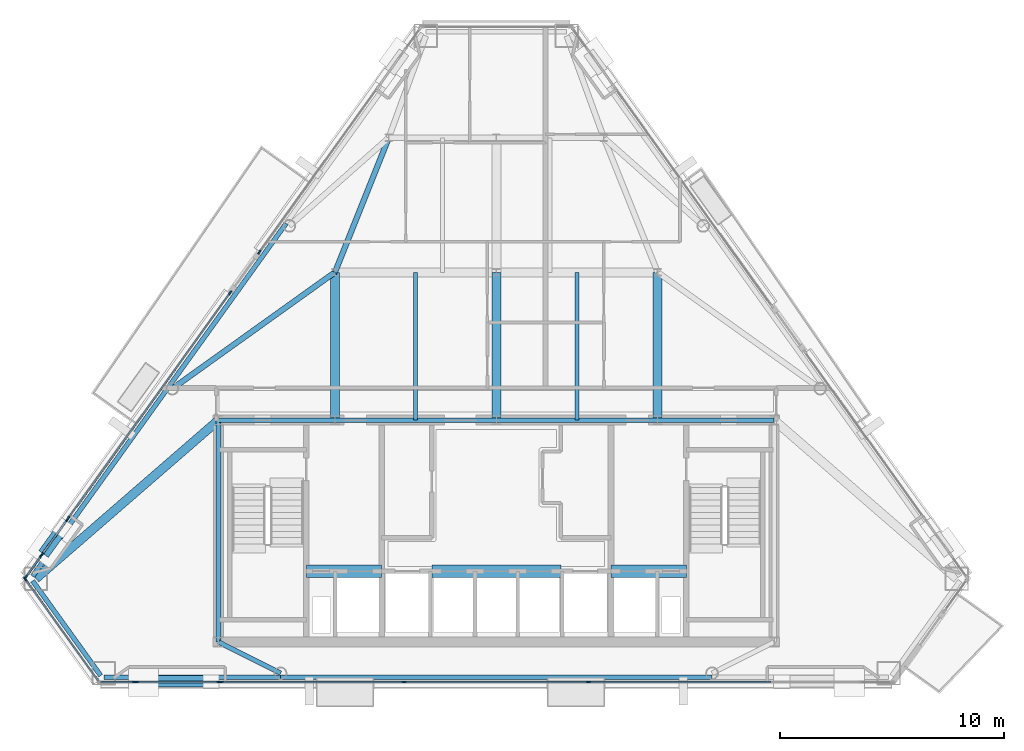
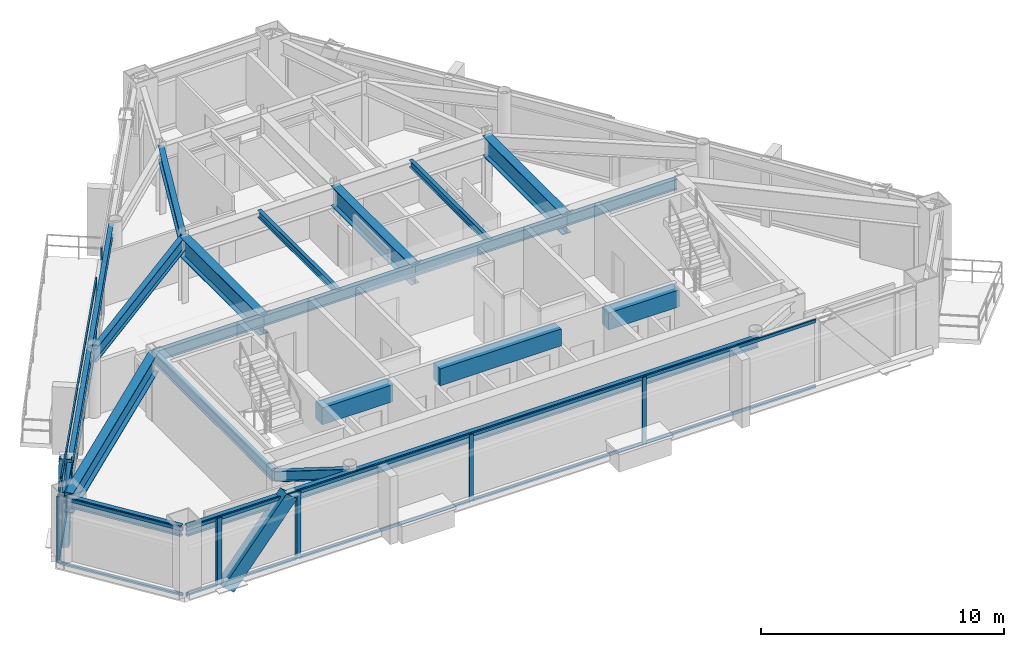
# One storey, part 3 of 11: 34 members, 22 beams, 8 elements without a shape of their own.
"""IFC4 building model written with IfcOpenShell, lengths in metres."""

from ifc_helpers import new_model, si_unit, direction, frame, origin, origin_2d, place, context, subcontext, project, spatial, rectangle, hollow_rectangle, i_section, extrude, material, layer, layer_set, material_profile, profile_set, type_object, element, aggregate, save


model = new_model("IFC4")

# Units and contexts
model_context = context("Model", 3, precision=1e-05, world=origin(), true_north=direction((0.0, 1.0)))
body_context = subcontext(model_context, "Body", "Model", "MODEL_VIEW")
ifc_project = project(units=[si_unit("LENGTHUNIT", "METRE"), si_unit("AREAUNIT", "SQUARE_METRE"), si_unit("VOLUMEUNIT", "CUBIC_METRE"), si_unit("PLANEANGLEUNIT", "RADIAN"), si_unit("MASSUNIT", "GRAM", prefix="KILO")], contexts=[model_context])

# Site, building, storey
site_placement = place(None, origin())
site = spatial("IfcSite", under=ifc_project, at=site_placement, CompositionType="ELEMENT")
building_placement = place(site_placement, origin())
building = spatial("IfcBuilding", under=site, at=building_placement, Name="Talgorran Terracotta Tower", CompositionType="ELEMENT")
storey_placement = place(building_placement, frame((0.0, 0.0, 207.300048828125)))
storey = spatial("IfcBuildingStorey", under=building, at=storey_placement, Name="L54", CompositionType="ELEMENT", Elevation=207.300048828125)

# Beams
ifc_material_1 = material(Name="Steel Grade 350 (350L0)", Category="steel")
ifc_material_profile_1 = material_profile(ifc_material_1, i_section(OverallWidth=0.39990234375, OverallDepth=1.0, WebThickness=0.01611328125, FlangeThickness=0.031005859375, at=origin_2d()), Name="1000WB296")
ifc_profile_set_1 = profile_set([ifc_material_profile_1], Name="Steel Grade 350 (350L0)")
beam_type_1 = type_object("IfcBeamType", Name="BM_1000WB296", PredefinedType="BEAM", material=ifc_profile_set_1)
for number, where, z_axis, x_axis, name in (
    (1, (-7.199951171875, -4.199951171875, 2.844970703125), (0.0, 1.0, 0.0), (-1.0, 0.0, 0.0), "L54 Floor Girder G01"),
    (2, (0.0, -4.199951171875, 2.844970703125), (0.0, 1.0, 0.0), (-1.0, 0.0, 0.0), "L54 Floor Girder G02"),
    (3, (7.199951171875, -4.199951171875, 2.844970703125), (0.0, 1.0, 0.0), (-1.0, 0.0, 0.0), "L54 Floor Girder G03"),
):
    element("IfcBeam", number, at=place(storey_placement, frame(where, z_axis=z_axis, x_axis=x_axis)), inside=storey, type_object=beam_type_1, Name=name, PredefinedType="BEAM", context=body_context, shape_type="SweptSolid", body=[
        extrude(i_section(OverallWidth=0.39990234375, OverallDepth=1.0, WebThickness=0.01611328125, FlangeThickness=0.031005859375, at=origin_2d()), origin(), (0.0, 0.0, 1.0), 6.599853515625),
    ])
beam_1_placement = place(storey_placement, frame((-12.39990234375, -4.199951171875, 2.844970703125), z_axis=(-0.755340259283, -0.655332810644, 0.0), x_axis=(0.655332810644, -0.755340259283, 0.0)))
element("IfcBeam", 4, at=beam_1_placement, inside=storey, type_object=beam_type_1, Name="L54 Floor Girder G17", PredefinedType="BEAM", context=body_context, shape_type="SweptSolid", body=[
    extrude(i_section(OverallWidth=0.39990234375, OverallDepth=1.0, WebThickness=0.01611328125, FlangeThickness=0.031005859375, at=origin_2d()), origin(), (0.0, 0.0, 1.0), 10.787841796875),
])
ifc_material_2 = material(Name="Steel S355 (300PLUS)", Category="steel")
ifc_material_profile_2 = material_profile(ifc_material_2, i_section(OverallWidth=0.25, OverallDepth=0.699951171875, WebThickness=0.011962890625, FlangeThickness=0.02392578125, at=origin_2d()), Name="700WB150")
ifc_profile_set_2 = profile_set([ifc_material_profile_2], Name="Steel S355 (300PLUS)")
beam_type_2 = type_object("IfcBeamType", Name="BM_700WB150", PredefinedType="BEAM", material=ifc_profile_set_2)
beam_2_placement = place(storey_placement, frame((-7.199951171875, 2.39990234375, 2.994873046875), z_axis=(-0.813243309998, -0.581923808366, 0.0), x_axis=(0.581923808366, -0.813243309998, 0.0)))
element("IfcBeam", 5, at=beam_2_placement, inside=storey, type_object=beam_type_2, Name="L54 Floor Girder G06", PredefinedType="BEAM", context=body_context, shape_type="SweptSolid", body=[
    extrude(i_section(OverallWidth=0.25, OverallDepth=0.699951171875, WebThickness=0.011962890625, FlangeThickness=0.02392578125, at=origin_2d()), origin(), (0.0, 0.0, 1.0), 8.923583984375),
])
beam_3_placement = place(storey_placement, frame((-7.199951171875, 2.39990234375, 2.994873046875), z_axis=(0.371377648723, 0.928481901832, 0.0), x_axis=(-0.928481901832, 0.371377648723, 0.0)))
element("IfcBeam", 6, at=beam_3_placement, inside=storey, type_object=beam_type_2, Name="L54 Floor Girder G08", PredefinedType="BEAM", context=body_context, shape_type="SweptSolid", body=[
    extrude(i_section(OverallWidth=0.25, OverallDepth=0.699951171875, WebThickness=0.011962890625, FlangeThickness=0.02392578125, at=origin_2d()), origin(), (0.0, 0.0, 1.0), 6.462158203125),
])
ifc_material_3 = material(Name="Concrete C50/60", Category="concrete")
ifc_material_profile_3 = material_profile(ifc_material_3, rectangle(XDim=0.550048828125, YDim=0.85009765625, at=origin_2d()), Name="RCCB550X850")
ifc_profile_set_3 = profile_set([ifc_material_profile_3], Name="Concrete C50/60")
beam_type_3 = type_object("IfcBeamType", Name="BM_CB_550X850", PredefinedType="LINTEL", material=ifc_profile_set_3)
beam_4_placement = place(storey_placement, frame((-8.47998046875, -10.949951171875, 2.919921875), z_axis=(1.0, 0.0, 0.0), x_axis=(0.0, 1.0, 0.0)))
element("IfcBeam", 7, at=beam_4_placement, inside=storey, type_object=beam_type_3, Name="L54 Core Shear-Wall Coupling Beam CB1", PredefinedType="LINTEL", context=body_context, shape_type="SweptSolid", body=[
    extrude(rectangle(XDim=0.550048828125, YDim=0.85009765625, at=origin_2d()), origin(), (0.0, 0.0, 1.0), 3.35986328125),
])
beam_5_placement = place(storey_placement, frame((-2.8798828125, -10.949951171875, 2.919921875), z_axis=(1.0, 0.0, 0.0), x_axis=(0.0, 1.0, 0.0)))
element("IfcBeam", 8, at=beam_5_placement, inside=storey, type_object=beam_type_3, Name="L54 Core Shear-Wall Coupling Beam CB2", PredefinedType="LINTEL", context=body_context, shape_type="SweptSolid", body=[
    extrude(rectangle(XDim=0.550048828125, YDim=0.85009765625, at=origin_2d()), origin(), (0.0, 0.0, 1.0), 5.759765625),
])
beam_6_placement = place(storey_placement, frame((5.1201171875, -10.949951171875, 2.919921875), z_axis=(1.0, 0.0, 0.0), x_axis=(0.0, 1.0, 0.0)))
element("IfcBeam", 9, at=beam_6_placement, inside=storey, type_object=beam_type_3, Name="L54 Core Shear-Wall Coupling Beam CB3", PredefinedType="LINTEL", context=body_context, shape_type="SweptSolid", body=[
    extrude(rectangle(XDim=0.550048828125, YDim=0.85009765625, at=origin_2d()), origin(), (0.0, 0.0, 1.0), 3.35986328125),
])
ifc_material_profile_4 = material_profile(ifc_material_2, i_section(OverallWidth=0.17138671875, OverallDepth=0.355712890625, WebThickness=0.00732421875, FlangeThickness=0.011474609375, at=origin_2d()), Name="360UB50.7")
ifc_profile_set_4 = profile_set([ifc_material_profile_4], Name="Steel S355 (300PLUS)")
beam_type_4 = type_object("IfcBeamType", Name="BM_JS_360UB51", PredefinedType="JOIST", material=ifc_profile_set_4)
for number, where, z_axis, x_axis, name in (
    (10, (-3.60009765625, -4.199951171875, 3.167236328125), (0.0, 1.0, 0.0), (-1.0, 0.0, 0.0), "L54 Secondary Joist J01"),
    (11, (3.60009765625, -4.199951171875, 3.167236328125), (0.0, 1.0, 0.0), (-1.0, 0.0, 0.0), "L54 Secondary Joist J02"),
):
    element("IfcBeam", number, at=place(storey_placement, frame(where, z_axis=z_axis, x_axis=x_axis)), inside=storey, type_object=beam_type_4, Name=name, PredefinedType="JOIST", context=body_context, shape_type="SweptSolid", body=[
        extrude(i_section(OverallWidth=0.17138671875, OverallDepth=0.355712890625, WebThickness=0.00732421875, FlangeThickness=0.011474609375, at=origin_2d()), origin(), (0.0, 0.0, 1.0), 6.599853515625),
    ])
ifc_material_profile_5 = material_profile(ifc_material_2, i_section(OverallWidth=0.209228515625, OverallDepth=0.532958984375, WebThickness=0.01025390625, FlangeThickness=0.015625, at=origin_2d()), Name="530UB92.4")
ifc_profile_set_5 = profile_set([ifc_material_profile_5], Name="Steel S355 (300PLUS)")
beam_type_5 = type_object("IfcBeamType", Name="BM_SP_530UB92", PredefinedType="SPANDREL", material=ifc_profile_set_5)
beam_7_placement = place(storey_placement, frame((-20.694580078125, -11.37451171875, 3.078369140625), z_axis=(0.58353843734, -0.812085520217, 0.0), x_axis=(0.812085520217, 0.58353843734, 0.0)))
element("IfcBeam", 12, at=beam_7_placement, inside=storey, type_object=beam_type_5, Name="L54 Perimeter Spandrel Beam MC1-MC2", PredefinedType="SPANDREL", context=body_context, shape_type="SweptSolid", body=[
    extrude(i_section(OverallWidth=0.209228515625, OverallDepth=0.532958984375, WebThickness=0.01025390625, FlangeThickness=0.015625, at=origin_2d()), origin(), (0.0, 0.0, 1.0), 5.20556640625),
])
beam_8_placement = place(storey_placement, frame((-17.5107421875, -15.6767578125, 3.078369140625), z_axis=(1.0, 0.0, 0.0), x_axis=(0.0, 1.0, 0.0)))
element("IfcBeam", 13, at=beam_8_placement, inside=storey, type_object=beam_type_5, Name="L54 Perimeter Spandrel Beam MC2-FC1", PredefinedType="SPANDREL", context=body_context, shape_type="SweptSolid", body=[
    extrude(i_section(OverallWidth=0.209228515625, OverallDepth=0.532958984375, WebThickness=0.01025390625, FlangeThickness=0.015625, at=origin_2d()), origin(), (0.0, 0.0, 1.0), 7.8798828125),
])
beam_9_placement = place(storey_placement, frame((-9.630859375, -15.6767578125, 3.078369140625), z_axis=(1.0, 0.0, 0.0), x_axis=(0.0, 1.0, 0.0)))
element("IfcBeam", 14, at=beam_9_placement, inside=storey, type_object=beam_type_5, Name="L54 Perimeter Spandrel Beam FC1-FC2", PredefinedType="SPANDREL", context=body_context, shape_type="SweptSolid", body=[
    extrude(i_section(OverallWidth=0.209228515625, OverallDepth=0.532958984375, WebThickness=0.01025390625, FlangeThickness=0.015625, at=origin_2d()), origin(), (0.0, 0.0, 1.0), 19.26171875),
])
beam_10_placement = place(storey_placement, frame((-9.382080078125, 4.577880859375, 3.078369140625), z_axis=(-0.583551145521, -0.812076388378, 0.0), x_axis=(0.812076388378, -0.583551145521, 0.0)))
element("IfcBeam", 15, at=beam_10_placement, inside=storey, type_object=beam_type_5, Name="L54 Perimeter Spandrel Beam FC5-FC6", PredefinedType="SPANDREL", context=body_context, shape_type="SweptSolid", body=[
    extrude(i_section(OverallWidth=0.209228515625, OverallDepth=0.532958984375, WebThickness=0.01025390625, FlangeThickness=0.015625, at=origin_2d()), origin(), (0.0, 0.0, 1.0), 8.947265625),
])
beam_11_placement = place(storey_placement, frame((-14.603271484375, -2.68798828125, 3.078369140625), z_axis=(-0.58355893517, -0.812070790746, 0.0), x_axis=(0.812070790746, -0.58355893517, 0.0)))
element("IfcBeam", 16, at=beam_11_placement, inside=storey, type_object=beam_type_5, Name="L54 Perimeter Spandrel Beam FC6-MC1", PredefinedType="SPANDREL", context=body_context, shape_type="SweptSolid", body=[
    extrude(i_section(OverallWidth=0.209228515625, OverallDepth=0.532958984375, WebThickness=0.01025390625, FlangeThickness=0.015625, at=origin_2d()), origin(), (0.0, 0.0, 1.0), 10.438232421875),
])
beam_12_placement = place(storey_placement, frame((-9.630859375, -15.49658203125, 3.078369140625), z_axis=(-0.892878892076, 0.450296884383, 0.0), x_axis=(-0.450296884383, -0.892878892076, 0.0)))
element("IfcBeam", 17, at=beam_12_placement, inside=storey, type_object=beam_type_5, Name="L54 South-West Core Tie Beam", PredefinedType="SPANDREL", context=body_context, shape_type="SweptSolid", body=[
    extrude(i_section(OverallWidth=0.209228515625, OverallDepth=0.532958984375, WebThickness=0.01025390625, FlangeThickness=0.015625, at=origin_2d()), origin(), (0.0, 0.0, 1.0), 3.101318359375),
])
beam_13_placement = place(storey_placement, frame((-12.39990234375, -14.10009765625, 3.078369140625), z_axis=(0.0, 1.0, 0.0), x_axis=(-1.0, 0.0, 0.0)))
element("IfcBeam", 18, at=beam_13_placement, inside=storey, type_object=beam_type_5, Name="L54 Core Frame Beam CFW", PredefinedType="SPANDREL", context=body_context, shape_type="SweptSolid", body=[
    extrude(i_section(OverallWidth=0.209228515625, OverallDepth=0.532958984375, WebThickness=0.01025390625, FlangeThickness=0.015625, at=origin_2d()), origin(), (0.0, 0.0, 1.0), 9.900146484375),
])
beam_14_placement = place(storey_placement, frame((-12.39990234375, -4.199951171875, 3.078369140625), z_axis=(1.0, 0.0, 0.0), x_axis=(0.0, 1.0, 0.0)))
element("IfcBeam", 19, at=beam_14_placement, inside=storey, type_object=beam_type_5, Name="L54 Core Frame Beam CFN1", PredefinedType="SPANDREL", context=body_context, shape_type="SweptSolid", body=[
    extrude(i_section(OverallWidth=0.209228515625, OverallDepth=0.532958984375, WebThickness=0.01025390625, FlangeThickness=0.015625, at=origin_2d()), origin(), (0.0, 0.0, 1.0), 5.199951171875),
])
for number, where, z_axis, x_axis, name in (
    (20, (-7.199951171875, -4.199951171875, 3.078369140625), (1.0, 0.0, 0.0), (0.0, 1.0, 0.0), "L54 Core Frame Beam CFN2"),
    (21, (0.0, -4.199951171875, 3.078369140625), (1.0, 0.0, 0.0), (0.0, 1.0, 0.0), "L54 Core Frame Beam CFN3"),
):
    element("IfcBeam", number, at=place(storey_placement, frame(where, z_axis=z_axis, x_axis=x_axis)), inside=storey, type_object=beam_type_5, Name=name, PredefinedType="SPANDREL", context=body_context, shape_type="SweptSolid", body=[
        extrude(i_section(OverallWidth=0.209228515625, OverallDepth=0.532958984375, WebThickness=0.01025390625, FlangeThickness=0.015625, at=origin_2d()), origin(), (0.0, 0.0, 1.0), 7.199951171875),
    ])
beam_15_placement = place(storey_placement, frame((7.199951171875, -4.199951171875, 3.078369140625), z_axis=(1.0, 0.0, 0.0), x_axis=(0.0, 1.0, 0.0)))
element("IfcBeam", 22, at=beam_15_placement, inside=storey, type_object=beam_type_5, Name="L54 Core Frame Beam CFN4", PredefinedType="SPANDREL", context=body_context, shape_type="SweptSolid", body=[
    extrude(i_section(OverallWidth=0.209228515625, OverallDepth=0.532958984375, WebThickness=0.01025390625, FlangeThickness=0.015625, at=origin_2d()), origin(), (0.0, 0.0, 1.0), 5.199951171875),
])

# Members
ifc_material_profile_6 = material_profile(ifc_material_1, hollow_rectangle(XDim=0.52001953125, YDim=0.659912109375, WallThickness=0.034912109375, at=origin_2d()), Name="WBOX660X520X35")
ifc_profile_set_6 = profile_set([ifc_material_profile_6], Name="Steel Grade 350 (350L0)")
member_type_1 = type_object("IfcMemberType", Name="MB_MEGA_660", PredefinedType="BRACE", material=ifc_profile_set_6)
member_1_placement = place(storey_placement, frame((-15.748779296875, -15.856689453125, -0.275146484375), z_axis=(0.636528945712, 0.0, 0.771252812812), x_axis=(0.0, 1.0, 0.0)))
element("IfcMember", 23, at=member_1_placement, inside=storey, type_object=member_type_1, Name="L54 Exterior Face Mega-Brace MB-3 (SWF)", PredefinedType="BRACE", context=body_context, shape_type="SweptSolid", body=[
    extrude(hollow_rectangle(XDim=0.52001953125, YDim=0.659912109375, WallThickness=0.034912109375, at=origin_2d()), origin(), (0.0, 0.0, 1.0), 4.72607421875),
])
member_2_placement = place(storey_placement, frame((-20.020263671875, -9.917724609375, -0.275146484375), z_axis=(0.171396030818, 0.238494663727, 0.9558994173), x_axis=(-0.812050884366, 0.583586635557, 0.0)))
element("IfcMember", 24, at=member_2_placement, inside=storey, type_object=member_type_1, Name="L54 Exterior Face Mega-Brace MB-3 (NWL)", PredefinedType="BRACE", context=body_context, shape_type="SweptSolid", body=[
    extrude(hollow_rectangle(XDim=0.52001953125, YDim=0.659912109375, WallThickness=0.034912109375, at=origin_2d()), origin(), (0.0, 0.0, 1.0), 3.813232421875),
])

# Curtain wall, member
ifc_material_4 = material(Name="High-Wind Unitised Glazing", Category="glass")
ifc_layer = layer(ifc_material_4, 0.2099609375, Name="CW_SYS3_RES_HIGH")
ifc_layer_set = layer_set([ifc_layer], Name="High-Wind Unitised Glazing")
curtain_wall_type = type_object("IfcCurtainWallType", Name="CW_SYS3_RES_HIGH", PredefinedType="NOTDEFINED", material=ifc_layer_set)
curtain_wall_1_placement = place(storey_placement, origin())
curtain_wall_1 = element("IfcCurtainWall", 25, at=curtain_wall_1_placement, inside=storey, type_object=curtain_wall_type, Name="CW-L54-F0", PredefinedType="NOTDEFINED")
ifc_material_5 = material(Name="Architectural Aluminium 6063-T6", Category="aluminium")
ifc_material_profile_7 = material_profile(ifc_material_5, rectangle(XDim=0.070068359375, YDim=0.199951171875, at=origin_2d()), Name="CWM70X200")
ifc_profile_set_7 = profile_set([ifc_material_profile_7], Name="Architectural Aluminium 6063-T6")
member_type_2 = type_object("IfcMemberType", Name="MUL_70X200", PredefinedType="MULLION", material=ifc_profile_set_7)
member_3_placement = place(storey_placement, frame((-21.0205078125, -11.298095703125, 0.0), z_axis=(0.0, 0.0, 1.0), x_axis=(0.812075928954, 0.58355178486, 0.0)))
member_3 = element("IfcMember", 26, at=member_3_placement, type_object=member_type_2, Name="CW-L54-0 mullion 1", PredefinedType="MULLION", context=body_context, shape_type="SweptSolid", body=[
    extrude(rectangle(XDim=0.070068359375, YDim=0.199951171875, at=origin_2d()), origin(), (0.0, 0.0, 1.0), 3.344970703125),
])

curtain_wall_2_placement = place(storey_placement, origin())
curtain_wall_2 = element("IfcCurtainWall", 27, at=curtain_wall_2_placement, inside=storey, type_object=curtain_wall_type, Name="CW-L54-F1", PredefinedType="NOTDEFINED")
member_4_placement = place(storey_placement, frame((-16.1396484375, -15.896728515625, 0.0), z_axis=(0.0, 0.0, 1.0), x_axis=(0.0, 1.0, 0.0)))
member_4 = element("IfcMember", 28, at=member_4_placement, type_object=member_type_2, Name="CW-L54-1 mullion 2", PredefinedType="MULLION", context=body_context, shape_type="SweptSolid", body=[
    extrude(rectangle(XDim=0.070068359375, YDim=0.199951171875, at=origin_2d()), origin(), (0.0, 0.0, 1.0), 3.344970703125),
])

# Curtain wall, members
curtain_wall_3_placement = place(storey_placement, origin())
curtain_wall_3 = element("IfcCurtainWall", 29, at=curtain_wall_3_placement, inside=storey, type_object=curtain_wall_type, Name="CW-L54-F1B", PredefinedType="NOTDEFINED")
member_5_placement = place(storey_placement, frame((-16.059814453125, -15.896728515625, 0.0), z_axis=(0.0, 0.0, 1.0), x_axis=(0.0, 1.0, 0.0)))
member_5 = element("IfcMember", 30, at=member_5_placement, type_object=member_type_2, Name="CW-L54-1B mullion 1", PredefinedType="MULLION", context=body_context, shape_type="SweptSolid", body=[
    extrude(rectangle(XDim=0.070068359375, YDim=0.199951171875, at=origin_2d()), origin(), (0.0, 0.0, 1.0), 3.344970703125),
])
member_6_placement = place(storey_placement, frame((-12.376220703125, -15.896728515625, 0.0), z_axis=(0.0, 0.0, 1.0), x_axis=(0.0, 1.0, 0.0)))
member_6 = element("IfcMember", 31, at=member_6_placement, type_object=member_type_2, Name="CW-L54-1B mullion 2", PredefinedType="MULLION", context=body_context, shape_type="SweptSolid", body=[
    extrude(rectangle(XDim=0.070068359375, YDim=0.199951171875, at=origin_2d()), origin(), (0.0, 0.0, 1.0), 3.344970703125),
])

curtain_wall_4_placement = place(storey_placement, origin())
curtain_wall_4 = element("IfcCurtainWall", 32, at=curtain_wall_4_placement, inside=storey, type_object=curtain_wall_type, Name="CW-L54-F1C", PredefinedType="NOTDEFINED")
member_7_placement = place(storey_placement, frame((-12.296142578125, -15.896728515625, 0.0), z_axis=(0.0, 0.0, 1.0), x_axis=(0.0, 1.0, 0.0)))
member_7 = element("IfcMember", 33, at=member_7_placement, type_object=member_type_2, Name="CW-L54-1C mullion 1", PredefinedType="MULLION", context=body_context, shape_type="SweptSolid", body=[
    extrude(rectangle(XDim=0.070068359375, YDim=0.199951171875, at=origin_2d()), origin(), (0.0, 0.0, 1.0), 3.344970703125),
])
member_8_placement = place(storey_placement, frame((-4.1103515625, -15.896728515625, 0.0), z_axis=(0.0, 0.0, 1.0), x_axis=(0.0, 1.0, 0.0)))
member_8 = element("IfcMember", 34, at=member_8_placement, type_object=member_type_2, Name="CW-L54-1C mullion 2", PredefinedType="MULLION", context=body_context, shape_type="SweptSolid", body=[
    extrude(rectangle(XDim=0.070068359375, YDim=0.199951171875, at=origin_2d()), origin(), (0.0, 0.0, 1.0), 3.344970703125),
])
member_9_placement = place(storey_placement, frame((4.1103515625, -15.896728515625, 0.0), z_axis=(0.0, 0.0, 1.0), x_axis=(0.0, 1.0, 0.0)))
member_9 = element("IfcMember", 35, at=member_9_placement, type_object=member_type_2, Name="CW-L54-1C mullion 3", PredefinedType="MULLION", context=body_context, shape_type="SweptSolid", body=[
    extrude(rectangle(XDim=0.070068359375, YDim=0.199951171875, at=origin_2d()), origin(), (0.0, 0.0, 1.0), 3.344970703125),
])

# Curtain wall, member
curtain_wall_5_placement = place(storey_placement, origin())
curtain_wall_5 = element("IfcCurtainWall", 36, at=curtain_wall_5_placement, inside=storey, type_object=curtain_wall_type, Name="CW-L54-F60C", PredefinedType="NOTDEFINED")
member_10_placement = place(storey_placement, frame((-10.57470703125, 3.29541015625, 0.0), z_axis=(0.0, 0.0, 1.0), x_axis=(0.812070619023, -0.583559174138, 0.0)))
member_10 = element("IfcMember", 37, at=member_10_placement, type_object=member_type_2, Name="CW-L54-60C mullion 2", PredefinedType="MULLION", context=body_context, shape_type="SweptSolid", body=[
    extrude(rectangle(XDim=0.070068359375, YDim=0.199951171875, at=origin_2d()), origin(), (0.0, 0.0, 1.0), 3.344970703125),
])
aggregate(curtain_wall_5, [member_10])

# Curtain wall, members
curtain_wall_6_placement = place(storey_placement, origin())
curtain_wall_6 = element("IfcCurtainWall", 38, at=curtain_wall_6_placement, inside=storey, type_object=curtain_wall_type, Name="CW-L54-F61", PredefinedType="NOTDEFINED")
member_11_placement = place(storey_placement, frame((-11.8759765625, 1.484375, 0.0), z_axis=(0.0, 0.0, 1.0), x_axis=(0.812074694777, -0.583553502349, 0.0)))
member_11 = element("IfcMember", 39, at=member_11_placement, type_object=member_type_2, Name="CW-L54-61 mullion 1", PredefinedType="MULLION", context=body_context, shape_type="SweptSolid", body=[
    extrude(rectangle(XDim=0.070068359375, YDim=0.199951171875, at=origin_2d()), origin(), (0.0, 0.0, 1.0), 3.344970703125),
])
member_12_placement = place(storey_placement, frame((-19.104248046875, -8.574462890625, 0.0), z_axis=(0.0, 0.0, 1.0), x_axis=(0.812074694777, -0.583553502349, 0.0)))
member_12 = element("IfcMember", 40, at=member_12_placement, type_object=member_type_2, Name="CW-L54-61 mullion 2", PredefinedType="MULLION", context=body_context, shape_type="SweptSolid", body=[
    extrude(rectangle(XDim=0.070068359375, YDim=0.199951171875, at=origin_2d()), origin(), (0.0, 0.0, 1.0), 3.344970703125),
])

curtain_wall_7_placement = place(storey_placement, origin())
curtain_wall_7 = element("IfcCurtainWall", 41, at=curtain_wall_7_placement, inside=storey, type_object=curtain_wall_type, Name="CW-L54-F61B", PredefinedType="NOTDEFINED")
member_13_placement = place(storey_placement, frame((-19.15087890625, -8.639404296875, 0.0), z_axis=(0.0, 0.0, 1.0), x_axis=(0.812080239793, -0.583545785812, 0.0)))
member_13 = element("IfcMember", 42, at=member_13_placement, type_object=member_type_2, Name="CW-L54-61B mullion 1", PredefinedType="MULLION", context=body_context, shape_type="SweptSolid", body=[
    extrude(rectangle(XDim=0.070068359375, YDim=0.199951171875, at=origin_2d()), origin(), (0.0, 0.0, 1.0), 3.344970703125),
])
member_14_placement = place(storey_placement, frame((-20.26904296875, -10.195556640625, 0.0), z_axis=(0.0, 0.0, 1.0), x_axis=(0.812080239793, -0.583545785812, 0.0)))
member_14 = element("IfcMember", 43, at=member_14_placement, type_object=member_type_2, Name="CW-L54-61B mullion 2", PredefinedType="MULLION", context=body_context, shape_type="SweptSolid", body=[
    extrude(rectangle(XDim=0.070068359375, YDim=0.199951171875, at=origin_2d()), origin(), (0.0, 0.0, 1.0), 3.344970703125),
])

curtain_wall_8_placement = place(storey_placement, origin())
curtain_wall_8 = element("IfcCurtainWall", 44, at=curtain_wall_8_placement, inside=storey, type_object=curtain_wall_type, Name="CW-L54-F61C", PredefinedType="NOTDEFINED")
member_15_placement = place(storey_placement, frame((-20.31591796875, -10.260498046875, 0.0), z_axis=(0.0, 0.0, 1.0), x_axis=(0.812097929859, -0.583521166985, 0.0)))
member_15 = element("IfcMember", 45, at=member_15_placement, type_object=member_type_2, Name="CW-L54-61C mullion 1", PredefinedType="MULLION", context=body_context, shape_type="SweptSolid", body=[
    extrude(rectangle(XDim=0.070068359375, YDim=0.199951171875, at=origin_2d()), origin(), (0.0, 0.0, 1.0), 3.344970703125),
])
member_16_placement = place(storey_placement, frame((-20.9970703125, -11.208740234375, 0.0), z_axis=(0.0, 0.0, 1.0), x_axis=(0.812097929859, -0.583521166985, 0.0)))
member_16 = element("IfcMember", 46, at=member_16_placement, type_object=member_type_2, Name="CW-L54-61C mullion 2", PredefinedType="MULLION", context=body_context, shape_type="SweptSolid", body=[
    extrude(rectangle(XDim=0.070068359375, YDim=0.199951171875, at=origin_2d()), origin(), (0.0, 0.0, 1.0), 3.344970703125),
])

# Member
ifc_material_profile_8 = material_profile(ifc_material_5, rectangle(XDim=0.070068359375, YDim=0.159912109375, at=origin_2d()), Name="CWT70X160")
ifc_profile_set_8 = profile_set([ifc_material_profile_8], Name="Architectural Aluminium 6063-T6")
member_type_3 = type_object("IfcMemberType", Name="TRN_70X160", PredefinedType="USERDEFINED", material=ifc_profile_set_8)
member_17_placement = place(storey_placement, frame((-21.0, -11.326416015625, 0.034912109375), z_axis=(0.583533762729, -0.812088879221, 0.0), x_axis=(0.812088879221, 0.583533762729, 0.0)))
member_17 = element("IfcMember", 47, at=member_17_placement, type_object=member_type_3, Name="CW-L54-0 transom 1.1", ObjectType="TRANSOM", PredefinedType="USERDEFINED", context=body_context, shape_type="SweptSolid", body=[
    extrude(rectangle(XDim=0.070068359375, YDim=0.159912109375, at=origin_2d()), origin(), (0.0, 0.0, 1.0), 5.557861328125),
])

member_18_placement = place(storey_placement, frame((-21.0, -11.326416015625, 3.31005859375), z_axis=(0.583533762729, -0.812088879221, 0.0), x_axis=(0.812088879221, 0.583533762729, 0.0)))
member_18 = element("IfcMember", 48, at=member_18_placement, type_object=member_type_3, Name="CW-L54-0 transom 1.2", ObjectType="TRANSOM", PredefinedType="USERDEFINED", context=body_context, shape_type="SweptSolid", body=[
    extrude(rectangle(XDim=0.070068359375, YDim=0.159912109375, at=origin_2d()), origin(), (0.0, 0.0, 1.0), 5.557861328125),
])

aggregate(curtain_wall_1, [member_3, member_17, member_18])

member_19_placement = place(storey_placement, frame((-17.64599609375, -15.896728515625, 0.034912109375), z_axis=(1.0, 0.0, 0.0), x_axis=(0.0, 1.0, 0.0)))
member_19 = element("IfcMember", 49, at=member_19_placement, type_object=member_type_3, Name="CW-L54-1 transom 1.1", ObjectType="TRANSOM", PredefinedType="USERDEFINED", context=body_context, shape_type="SweptSolid", body=[
    extrude(rectangle(XDim=0.070068359375, YDim=0.159912109375, at=origin_2d()), origin(), (0.0, 0.0, 1.0), 1.47119140625),
])

member_20_placement = place(storey_placement, frame((-17.64599609375, -15.896728515625, 3.31005859375), z_axis=(1.0, 0.0, 0.0), x_axis=(0.0, 1.0, 0.0)))
member_20 = element("IfcMember", 50, at=member_20_placement, type_object=member_type_3, Name="CW-L54-1 transom 1.2", ObjectType="TRANSOM", PredefinedType="USERDEFINED", context=body_context, shape_type="SweptSolid", body=[
    extrude(rectangle(XDim=0.070068359375, YDim=0.159912109375, at=origin_2d()), origin(), (0.0, 0.0, 1.0), 1.47119140625),
])

aggregate(curtain_wall_2, [member_4, member_19, member_20])

member_21_placement = place(storey_placement, frame((-16.024658203125, -15.896728515625, 0.034912109375), z_axis=(1.0, 0.0, 0.0), x_axis=(0.0, 1.0, 0.0)))
member_21 = element("IfcMember", 51, at=member_21_placement, type_object=member_type_3, Name="CW-L54-1B transom 1.1", ObjectType="TRANSOM", PredefinedType="USERDEFINED", context=body_context, shape_type="SweptSolid", body=[
    extrude(rectangle(XDim=0.070068359375, YDim=0.159912109375, at=origin_2d()), origin(), (0.0, 0.0, 1.0), 3.613525390625),
])

member_22_placement = place(storey_placement, frame((-16.024658203125, -15.896728515625, 3.31005859375), z_axis=(1.0, 0.0, 0.0), x_axis=(0.0, 1.0, 0.0)))
member_22 = element("IfcMember", 52, at=member_22_placement, type_object=member_type_3, Name="CW-L54-1B transom 1.2", ObjectType="TRANSOM", PredefinedType="USERDEFINED", context=body_context, shape_type="SweptSolid", body=[
    extrude(rectangle(XDim=0.070068359375, YDim=0.159912109375, at=origin_2d()), origin(), (0.0, 0.0, 1.0), 3.613525390625),
])

aggregate(curtain_wall_3, [member_5, member_6, member_21, member_22])

member_23_placement = place(storey_placement, frame((-12.260986328125, -15.896728515625, 0.034912109375), z_axis=(1.0, 0.0, 0.0), x_axis=(0.0, 1.0, 0.0)))
member_23 = element("IfcMember", 53, at=member_23_placement, type_object=member_type_3, Name="CW-L54-1C transom 1.1", ObjectType="TRANSOM", PredefinedType="USERDEFINED", context=body_context, shape_type="SweptSolid", body=[
    extrude(rectangle(XDim=0.070068359375, YDim=0.159912109375, at=origin_2d()), origin(), (0.0, 0.0, 1.0), 8.11572265625),
])

member_24_placement = place(storey_placement, frame((-12.260986328125, -15.896728515625, 3.31005859375), z_axis=(1.0, 0.0, 0.0), x_axis=(0.0, 1.0, 0.0)))
member_24 = element("IfcMember", 54, at=member_24_placement, type_object=member_type_3, Name="CW-L54-1C transom 1.2", ObjectType="TRANSOM", PredefinedType="USERDEFINED", context=body_context, shape_type="SweptSolid", body=[
    extrude(rectangle(XDim=0.070068359375, YDim=0.159912109375, at=origin_2d()), origin(), (0.0, 0.0, 1.0), 8.11572265625),
])

member_25_placement = place(storey_placement, frame((-4.075439453125, -15.896728515625, 0.034912109375), z_axis=(1.0, 0.0, 0.0), x_axis=(0.0, 1.0, 0.0)))
member_25 = element("IfcMember", 55, at=member_25_placement, type_object=member_type_3, Name="CW-L54-1C transom 2.1", ObjectType="TRANSOM", PredefinedType="USERDEFINED", context=body_context, shape_type="SweptSolid", body=[
    extrude(rectangle(XDim=0.070068359375, YDim=0.159912109375, at=origin_2d()), origin(), (0.0, 0.0, 1.0), 8.15087890625),
])

member_26_placement = place(storey_placement, frame((-4.075439453125, -15.896728515625, 3.31005859375), z_axis=(1.0, 0.0, 0.0), x_axis=(0.0, 1.0, 0.0)))
member_26 = element("IfcMember", 56, at=member_26_placement, type_object=member_type_3, Name="CW-L54-1C transom 2.2", ObjectType="TRANSOM", PredefinedType="USERDEFINED", context=body_context, shape_type="SweptSolid", body=[
    extrude(rectangle(XDim=0.070068359375, YDim=0.159912109375, at=origin_2d()), origin(), (0.0, 0.0, 1.0), 8.15087890625),
])

member_27_placement = place(storey_placement, frame((4.145263671875, -15.896728515625, 0.034912109375), z_axis=(1.0, 0.0, 0.0), x_axis=(0.0, 1.0, 0.0)))
member_27 = element("IfcMember", 57, at=member_27_placement, type_object=member_type_3, Name="CW-L54-1C transom 3.1", ObjectType="TRANSOM", PredefinedType="USERDEFINED", context=body_context, shape_type="SweptSolid", body=[
    extrude(rectangle(XDim=0.070068359375, YDim=0.159912109375, at=origin_2d()), origin(), (0.0, 0.0, 1.0), 8.11572265625),
])

member_28_placement = place(storey_placement, frame((4.145263671875, -15.896728515625, 3.31005859375), z_axis=(1.0, 0.0, 0.0), x_axis=(0.0, 1.0, 0.0)))
member_28 = element("IfcMember", 58, at=member_28_placement, type_object=member_type_3, Name="CW-L54-1C transom 3.2", ObjectType="TRANSOM", PredefinedType="USERDEFINED", context=body_context, shape_type="SweptSolid", body=[
    extrude(rectangle(XDim=0.070068359375, YDim=0.159912109375, at=origin_2d()), origin(), (0.0, 0.0, 1.0), 8.11572265625),
])

aggregate(curtain_wall_4, [member_7, member_8, member_9, member_23, member_24, member_25, member_26, member_27, member_28])

member_29_placement = place(storey_placement, frame((-11.896484375, 1.4560546875, 0.034912109375), z_axis=(-0.583538427526, -0.81208552727, 0.0), x_axis=(0.81208552727, -0.583538427526, 0.0)))
member_29 = element("IfcMember", 59, at=member_29_placement, type_object=member_type_3, Name="CW-L54-61 transom 1.1", ObjectType="TRANSOM", PredefinedType="USERDEFINED", context=body_context, shape_type="SweptSolid", body=[
    extrude(rectangle(XDim=0.070068359375, YDim=0.159912109375, at=origin_2d()), origin(), (0.0, 0.0, 1.0), 12.316650390625),
])

member_30_placement = place(storey_placement, frame((-11.896484375, 1.4560546875, 3.31005859375), z_axis=(-0.583538427526, -0.81208552727, 0.0), x_axis=(0.81208552727, -0.583538427526, 0.0)))
member_30 = element("IfcMember", 60, at=member_30_placement, type_object=member_type_3, Name="CW-L54-61 transom 1.2", ObjectType="TRANSOM", PredefinedType="USERDEFINED", context=body_context, shape_type="SweptSolid", body=[
    extrude(rectangle(XDim=0.070068359375, YDim=0.159912109375, at=origin_2d()), origin(), (0.0, 0.0, 1.0), 12.316650390625),
])

aggregate(curtain_wall_6, [member_11, member_12, member_29, member_30])

member_31_placement = place(storey_placement, frame((-19.17138671875, -8.667724609375, 0.034912109375), z_axis=(-0.583475262098, -0.812130912181, 0.0), x_axis=(0.812130912181, -0.583475262098, 0.0)))
member_31 = element("IfcMember", 61, at=member_31_placement, type_object=member_type_3, Name="CW-L54-61B transom 1.1", ObjectType="TRANSOM", PredefinedType="USERDEFINED", context=body_context, shape_type="SweptSolid", body=[
    extrude(rectangle(XDim=0.070068359375, YDim=0.159912109375, at=origin_2d()), origin(), (0.0, 0.0, 1.0), 1.84619140625),
])

member_32_placement = place(storey_placement, frame((-19.17138671875, -8.667724609375, 3.31005859375), z_axis=(-0.583475262098, -0.812130912181, 0.0), x_axis=(0.812130912181, -0.583475262098, 0.0)))
member_32 = element("IfcMember", 62, at=member_32_placement, type_object=member_type_3, Name="CW-L54-61B transom 1.2", ObjectType="TRANSOM", PredefinedType="USERDEFINED", context=body_context, shape_type="SweptSolid", body=[
    extrude(rectangle(XDim=0.070068359375, YDim=0.159912109375, at=origin_2d()), origin(), (0.0, 0.0, 1.0), 1.84619140625),
])

aggregate(curtain_wall_7, [member_13, member_14, member_31, member_32])

member_33_placement = place(storey_placement, frame((-20.336181640625, -10.288818359375, 0.034912109375), z_axis=(-0.583613133454, -0.812031840792, 0.0), x_axis=(0.812031840792, -0.583613133454, 0.0)))
member_33 = element("IfcMember", 63, at=member_33_placement, type_object=member_type_3, Name="CW-L54-61C transom 1.1", ObjectType="TRANSOM", PredefinedType="USERDEFINED", context=body_context, shape_type="SweptSolid", body=[
    extrude(rectangle(XDim=0.070068359375, YDim=0.159912109375, at=origin_2d()), origin(), (0.0, 0.0, 1.0), 1.09765625),
])

member_34_placement = place(storey_placement, frame((-20.336181640625, -10.288818359375, 3.31005859375), z_axis=(-0.583613133454, -0.812031840792, 0.0), x_axis=(0.812031840792, -0.583613133454, 0.0)))
member_34 = element("IfcMember", 64, at=member_34_placement, type_object=member_type_3, Name="CW-L54-61C transom 1.2", ObjectType="TRANSOM", PredefinedType="USERDEFINED", context=body_context, shape_type="SweptSolid", body=[
    extrude(rectangle(XDim=0.070068359375, YDim=0.159912109375, at=origin_2d()), origin(), (0.0, 0.0, 1.0), 1.09765625),
])

aggregate(curtain_wall_8, [member_15, member_16, member_33, member_34])

save(model, "model.ifc")
